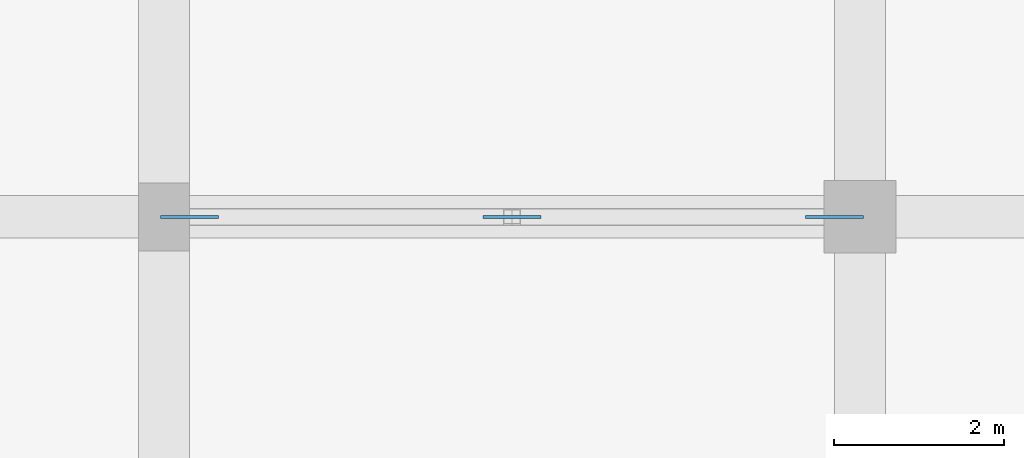
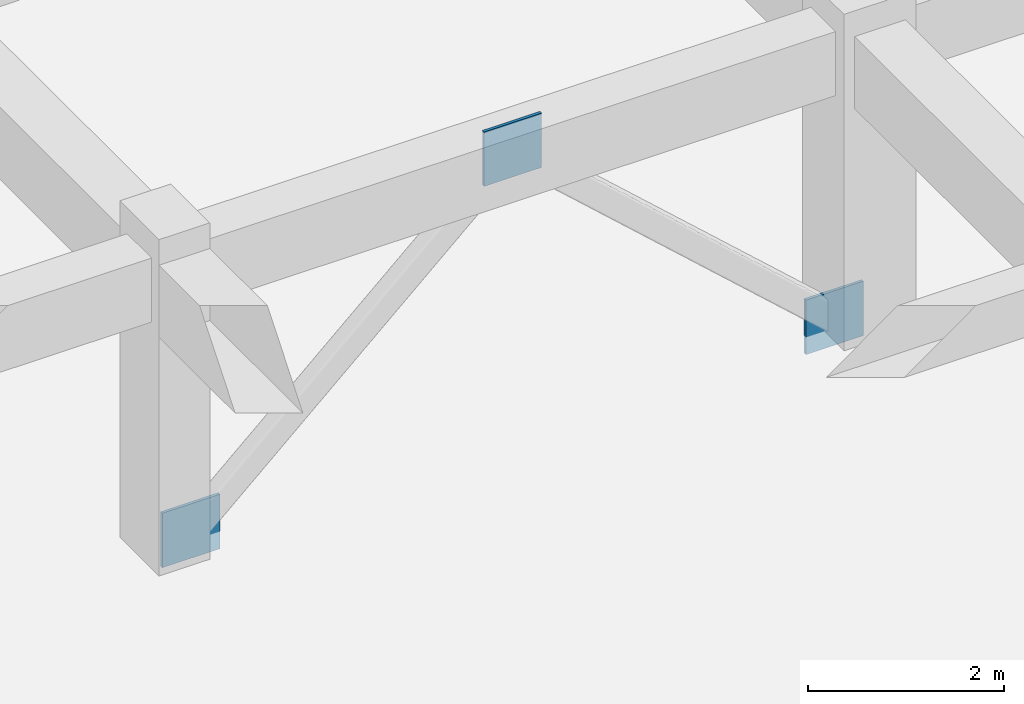
# One storey, part 16 of 35: 3 plates.
"""IFC4 building model written with IfcOpenShell, lengths in metres."""

from ifc_helpers import new_model, si_unit, direction, frame, origin, origin_2d, place, context, subcontext, project, spatial, rectangle, extrude, material, layer, layer_set, type_object, element, save


model = new_model("IFC4")

# Units and contexts
model_context = context("Model", 3, precision=1e-05, world=origin(), true_north=direction((0.0, 1.0)))
body_context = subcontext(model_context, "Body", "Model", "MODEL_VIEW")
ifc_project = project(units=[si_unit("LENGTHUNIT", "METRE"), si_unit("AREAUNIT", "SQUARE_METRE"), si_unit("VOLUMEUNIT", "CUBIC_METRE"), si_unit("PLANEANGLEUNIT", "RADIAN"), si_unit("MASSUNIT", "GRAM", prefix="KILO"), si_unit("THERMODYNAMICTEMPERATUREUNIT", "KELVIN"), si_unit("POWERUNIT", "WATT")], contexts=[model_context])

# Site, building, storey
site_placement = place(None, origin())
site = spatial("IfcSite", under=ifc_project, at=site_placement, CompositionType="ELEMENT")
building_placement = place(site_placement, origin())
building = spatial("IfcBuilding", under=site, at=building_placement, Name="Solvatero Civic Police Headquarters", CompositionType="ELEMENT")
storey_placement = place(building_placement, frame((0.0, 0.0, -4.199951171875)))
storey = spatial("IfcBuildingStorey", under=building, at=storey_placement, Name="B01", CompositionType="ELEMENT", Elevation=-4.199951171875)

# Plates
ifc_material = material(Name="Steel S355", Category="steel")
ifc_layer = layer(ifc_material, 0.034912109375)
ifc_layer_set = layer_set([ifc_layer], Name="Steel S355")
plate_type = type_object("IfcPlateType", Name="PLT-GUS-35", PredefinedType="SHEET", material=ifc_layer_set)
for number, where, z_axis, x_axis, name in (
    (1, (43.89990234375, 100.5, 3.2099609375), (0.0, 0.0, 1.0), (1.0, 0.0, 0.0), "Gusset Plate BR-V7-INT1 APX B01"),
    (2, (40.10009765625, 100.5, -0.22021484375), (0.0, 0.0, 1.0), (1.0, 0.0, 0.0), "Gusset Plate BR-V7-INT1 BSL B01"),
    (3, (47.699951171875, 100.5, -0.22021484375), (0.0, 0.0, 1.0), (1.0, 0.0, 0.0), "Gusset Plate BR-V7-INT1 BSR B01"),
):
    element("IfcPlate", number, at=place(storey_placement, frame(where, z_axis=z_axis, x_axis=x_axis)), inside=storey, type_object=plate_type, Name=name, PredefinedType="SHEET", context=body_context, shape_type="SweptSolid", body=[
        extrude(rectangle(XDim=0.679931640625, YDim=0.034912109375, at=origin_2d()), origin(), (0.0, 0.0, 1.0), 0.679931640625),
    ])

save(model, "model.ifc")
